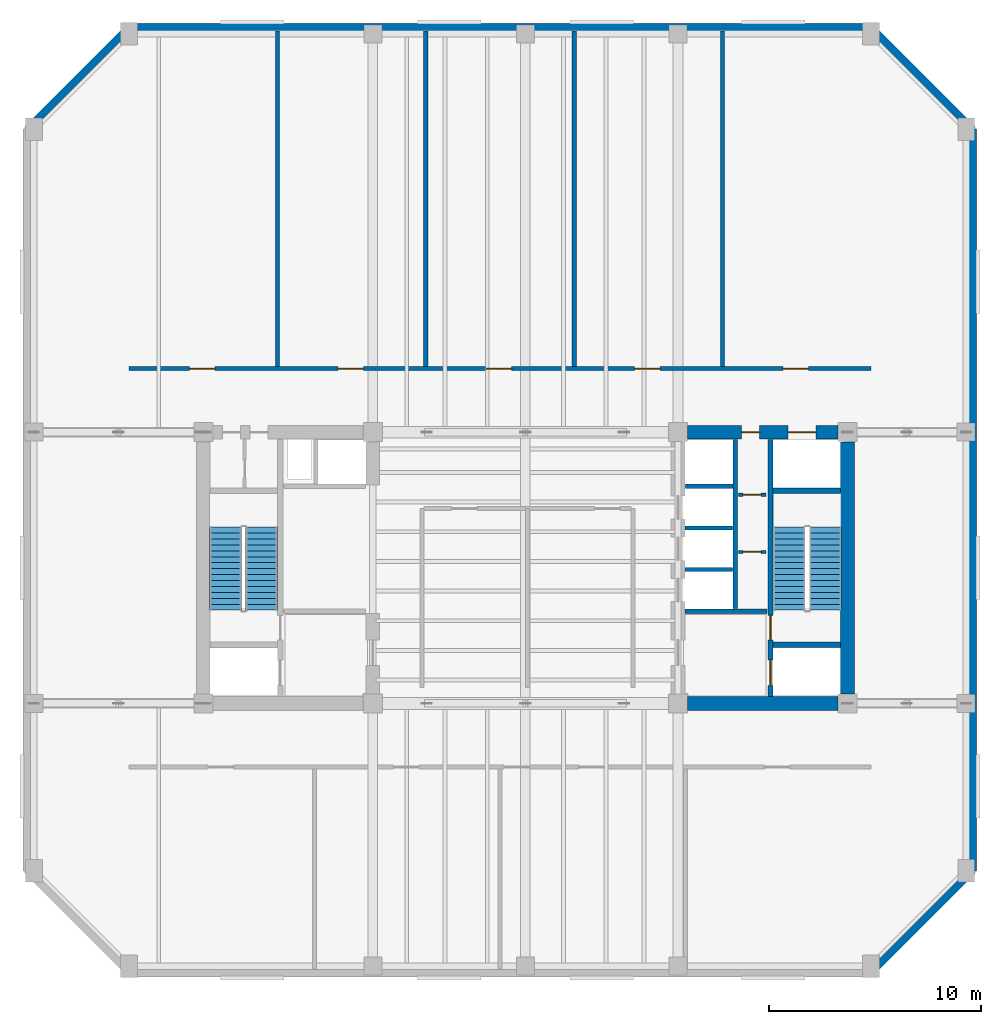
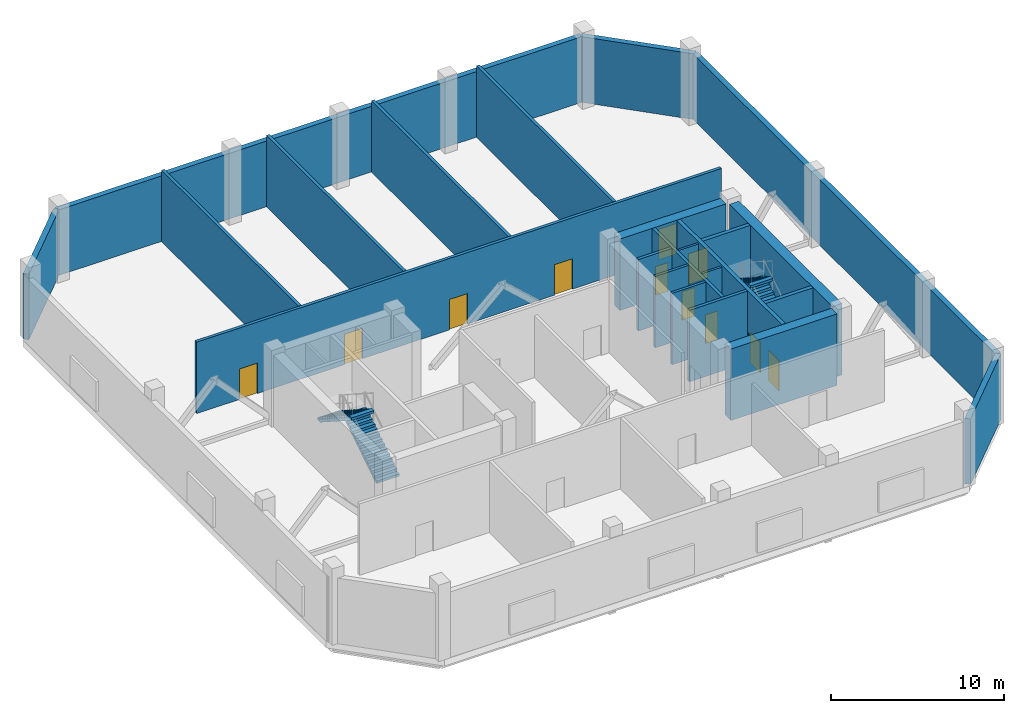
# One storey, part 6 of 9: 23 walls, 11 doors, 4 stair flights, 11 openings, 2 elements without a shape of their own.
"""IFC4 building model written with IfcOpenShell, lengths in metres."""

import ifcopenshell
import ifcopenshell.guid

model = None  # the IFC model being written
_history = None  # IfcOwnerHistory: only IFC2X3 demands one
_inside = {}  # id of a spatial element -> (the spatial element, [elements in it])
_under = {}  # id of a project, library or spatial element -> (it, [spatial elements below it])
_declared = {}  # id of a project -> (the project, [libraries it declares])
_typed = {}  # id of a type object -> (the type object, [elements of that type])
_made_of = {}  # id of a material, layer set ... -> (it, [elements and type objects made of it])


def new_model(schema):
    """Start an empty IFC model of exactly this schema.

    Asked for "IFC4X3", IfcOpenShell would pick the latest addendum, in which some entities
    have other attributes; the version numbers below select the first issue.
    IFC2X3 requires an IfcOwnerHistory on every rooted entity: one is made here for all.
    """
    global model, _history
    if schema == "IFC4X3":
        model = ifcopenshell.file(schema_version=(4, 3, 0, 0))
    else:
        model = ifcopenshell.file(schema=schema)
    _inside.clear()
    _under.clear()
    _declared.clear()
    _typed.clear()
    _made_of.clear()
    _history = None
    if model.schema == "IFC2X3":
        org = make("IfcOrganization", Name="unknown")
        user = make(
            "IfcPersonAndOrganization",
            ThePerson=make("IfcPerson", FamilyName="unknown"),
            TheOrganization=org,
        )
        app = make(
            "IfcApplication",
            ApplicationDeveloper=org,
            Version="unknown",
            ApplicationFullName="unknown",
            ApplicationIdentifier="unknown",
        )
        _history = make(
            "IfcOwnerHistory",
            OwningUser=user,
            OwningApplication=app,
            ChangeAction="ADDED",
            CreationDate=0,
        )
    return model


def make(cls, **values):
    """One entity of the class cls with the attributes given. An attribute that is None is left unset."""
    return model.create_entity(
        cls, **{name: value for name, value in values.items() if value is not None}
    )


def rooted(cls, **values):
    """An entity with a GlobalId (a new one), such as an element, a storey or a relation."""
    return make(cls, GlobalId=ifcopenshell.guid.new(), OwnerHistory=_history, **values)


def si_unit(unit_type, name, prefix=None):
    """IfcSIUnit, for example si_unit("LENGTHUNIT", "METRE", prefix="MILLI")."""
    return make("IfcSIUnit", UnitType=unit_type, Prefix=prefix, Name=name)


def assignment(units):
    """IfcUnitAssignment: the units of a project."""
    return None if units is None else make("IfcUnitAssignment", Units=units)


def point(xyz):
    """IfcCartesianPoint."""
    return None if xyz is None else make("IfcCartesianPoint", Coordinates=xyz)


def direction(xyz):
    """IfcDirection."""
    return None if xyz is None else make("IfcDirection", DirectionRatios=xyz)


def frame(location, z_axis=None, x_axis=None):
    """IfcAxis2Placement3D, a coordinate frame: its origin and axes. An axis left out is left unset."""
    return make(
        "IfcAxis2Placement3D",
        Location=point(location),
        Axis=direction(z_axis),
        RefDirection=direction(x_axis),
    )


def frame_2d(location, x_axis=None):
    """IfcAxis2Placement2D, a coordinate frame in the plane: its origin and x axis."""
    return make(
        "IfcAxis2Placement2D", Location=point(location), RefDirection=direction(x_axis)
    )


def origin():
    """The frame at (0, 0, 0) with its axes left unset."""
    return frame((0.0, 0.0, 0.0))


def place(relative_to, where):
    """IfcLocalPlacement: puts the frame where relative to a parent placement (None: the world)."""
    return make(
        "IfcLocalPlacement", PlacementRelTo=relative_to, RelativePlacement=where
    )


def context(
    kind, dimensions, precision=None, world=None, true_north=None, identifier=None
):
    """IfcGeometricRepresentationContext, for example the 3D "Model" context."""
    return make(
        "IfcGeometricRepresentationContext",
        ContextIdentifier=identifier,
        ContextType=kind,
        CoordinateSpaceDimension=dimensions,
        Precision=precision,
        WorldCoordinateSystem=world,
        TrueNorth=true_north,
    )


def subcontext(parent, identifier, kind, view, scale=None):
    """IfcGeometricRepresentationSubContext, for example "Body" below "Model"."""
    return make(
        "IfcGeometricRepresentationSubContext",
        ContextIdentifier=identifier,
        ContextType=kind,
        ParentContext=parent,
        TargetScale=scale,
        TargetView=view,
    )


def project(units=None, contexts=None):
    """IfcProject with its units and contexts."""
    return rooted(
        "IfcProject",
        Name="project",
        RepresentationContexts=contexts,
        UnitsInContext=assignment(units),
    )


def spatial(cls, under=None, at=None, **own):
    """A site, building, storey or space (cls), placed at a placement, below another one or the project."""
    s = rooted(cls, ObjectPlacement=at, **own)
    if under is not None:
        _under.setdefault(under.id(), (under, []))[1].append(s)
    return s


def polyline(points):
    """IfcPolyline through the points."""
    return make("IfcPolyline", Points=[point(p) for p in points])


def profile(cls, at=None, kind="AREA", **sizes):
    """A parametric profile (cls). Its sizes go by their IFC names, for example OverallWidth=200.0."""
    return make(cls, ProfileType=kind, Position=at, **sizes)


def rectangle(**sizes):
    """IfcRectangleProfileDef."""
    return profile("IfcRectangleProfileDef", **sizes)


def outline(outer, holes=None, kind="AREA"):
    """IfcArbitraryClosedProfileDef: a profile drawn as a closed curve; with holes, ...WithVoids."""
    if holes is None:
        return make("IfcArbitraryClosedProfileDef", ProfileType=kind, OuterCurve=outer)
    return make(
        "IfcArbitraryProfileDefWithVoids",
        ProfileType=kind,
        OuterCurve=outer,
        InnerCurves=holes,
    )


def extrude(swept, where, along, depth):
    """IfcExtrudedAreaSolid: the profile swept, set in the frame where, extruded along a direction by depth."""
    return make(
        "IfcExtrudedAreaSolid",
        SweptArea=swept,
        Position=where,
        ExtrudedDirection=direction(along),
        Depth=depth,
    )


def shape(context_of_items, identifier, shape_type, items):
    """IfcShapeRepresentation: the items that make up one representation, for example the "Body"."""
    return make(
        "IfcShapeRepresentation",
        ContextOfItems=context_of_items,
        RepresentationIdentifier=identifier,
        RepresentationType=shape_type,
        Items=items,
    )


def material(Name=None, Category=None):
    """IfcMaterial."""
    return make("IfcMaterial", Name=Name, Category=Category)


def layer(
    of_material, thickness, ventilated=None, Name=None, Category=None, Priority=None
):
    """IfcMaterialLayer: one layer of a wall or slab, of a material (None: an air gap)."""
    return make(
        "IfcMaterialLayer",
        Material=of_material,
        LayerThickness=thickness,
        IsVentilated=ventilated,
        Name=Name,
        Category=Category,
        Priority=Priority,
    )


def layer_set(layers, Name=None):
    """IfcMaterialLayerSet."""
    return make("IfcMaterialLayerSet", MaterialLayers=layers, LayerSetName=Name)


def made_of(thing, what):
    """Note that an element or type object is made of a material, layer set ...; save() writes the relation."""
    if what is not None:
        _made_of.setdefault(what.id(), (what, []))[1].append(thing)
    return thing


def type_object(cls, material=None, **own):
    """A type object (cls), such as IfcWallType, which elements share."""
    return made_of(rooted(cls, **own), material)


def element(
    cls,
    number,
    at=None,
    inside=None,
    cuts=None,
    type_object=None,
    material=None,
    context=None,
    identifier="Body",
    shape_type=None,
    held_by="IfcProductDefinitionShape",
    body=None,
    shapes=None,
    **own,
):
    """One element of the class cls, such as IfcWall. Its Tag is "e" and its number.

    at: its placement. inside: the storey or other place that contains it. cuts: it is an
    opening in that element (IfcRelVoidsElement). A single representation is given by context,
    identifier, shape_type and body (its items); several are given by shapes. held_by: the class
    of the entity that holds the representations. save() writes the other relations.
    """
    e = rooted(cls, Tag="e%d" % number, ObjectPlacement=at, **own)
    if body is not None:
        shapes = [shape(context, identifier, shape_type, body)]
    if shapes is not None:
        e.Representation = make(held_by, Representations=shapes)
    if inside is not None:
        _inside.setdefault(inside.id(), (inside, []))[1].append(e)
    if cuts is not None:
        rooted(
            "IfcRelVoidsElement", RelatingBuildingElement=cuts, RelatedOpeningElement=e
        )
    if type_object is not None:
        _typed.setdefault(type_object.id(), (type_object, []))[1].append(e)
    return made_of(e, material)


def fill(opening, filler):
    """IfcRelFillsElement: the door or window that sits in an opening."""
    return rooted(
        "IfcRelFillsElement",
        RelatingOpeningElement=opening,
        RelatedBuildingElement=filler,
    )


def aggregate(whole, parts):
    """IfcRelAggregates: a whole, such as a stair, and the parts it consists of."""
    return rooted("IfcRelAggregates", RelatingObject=whole, RelatedObjects=parts)


def save(model, path):
    """Write the relations noted so far, then the file.

    IfcRelAggregates (storeys below a building ...), IfcRelContainedInSpatialStructure (elements
    in a storey), IfcRelDefinesByType, IfcRelAssociatesMaterial and IfcRelDeclares: one each for
    every whole, place, type object, material and project.
    """
    for whole, parts in _under.values():
        aggregate(whole, parts)
    for where, things in _inside.values():
        rooted(
            "IfcRelContainedInSpatialStructure",
            RelatedElements=things,
            RelatingStructure=where,
        )
    for kind, things in _typed.values():
        rooted("IfcRelDefinesByType", RelatedObjects=things, RelatingType=kind)
    for what, things in _made_of.values():
        rooted("IfcRelAssociatesMaterial", RelatedObjects=things, RelatingMaterial=what)
    for by, libraries in _declared.values():
        rooted("IfcRelDeclares", RelatingContext=by, RelatedDefinitions=libraries)
    model.write(path)


model = new_model("IFC4")

# Units and contexts
model_context = context("Model", 3, precision=1e-05, world=origin(), true_north=direction((0.0, 1.0)))
body_context = subcontext(model_context, "Body", "Model", "MODEL_VIEW")
ifc_project = project(units=[si_unit("LENGTHUNIT", "METRE"), si_unit("AREAUNIT", "SQUARE_METRE"), si_unit("VOLUMEUNIT", "CUBIC_METRE"), si_unit("PLANEANGLEUNIT", "RADIAN"), si_unit("MASSUNIT", "GRAM", prefix="KILO")], contexts=[model_context])

# Site, building, storey
site_placement = place(None, origin())
site = spatial("IfcSite", under=ifc_project, at=site_placement, CompositionType="ELEMENT")
building_placement = place(site_placement, origin())
building = spatial("IfcBuilding", under=site, at=building_placement, Name="Kranthara Brick Stack", CompositionType="ELEMENT")
storey_placement = place(building_placement, frame((0.0, 0.0, 197.300048828125)))
storey = spatial("IfcBuildingStorey", under=building, at=storey_placement, Name="L51", CompositionType="ELEMENT", Elevation=197.300048828125)

# Walls
ifc_material_1 = material(Name="Kiln-fired clay brick masonry M15", Category="masonry")
ifc_layer_1 = layer(ifc_material_1, 0.35009765625)
ifc_layer_set_1 = layer_set([ifc_layer_1], Name="Kiln-fired clay brick masonry M15")
wall_type_1 = type_object("IfcWallType", Name="WL-BRK-SPND-350", PredefinedType="STANDARD", material=ifc_layer_set_1)
wall_1_placement = place(storey_placement, frame((4.4951171875, 47.89990234375, 0.0), z_axis=(0.0, 0.0, 1.0), x_axis=(0.707088817216, 0.7071247447, 0.0)))
element("IfcWall", 1, at=wall_1_placement, inside=storey, type_object=wall_type_1, Name="L51 Exterior Brick Facade Wall NW 1", PredefinedType="STANDARD", context=body_context, shape_type="SweptSolid", body=[
    extrude(rectangle(XDim=6.79541015625, YDim=0.35009765625, at=frame_2d((3.397705078125, 0.0))), origin(), (0.0, 0.0, 1.0), 4.625),
])
wall_2_placement = place(storey_placement, frame((9.300048828125, 52.705078125, 0.0), z_axis=(0.0, 0.0, 1.0), x_axis=(1.0, 0.0, 0.0)))
element("IfcWall", 2, at=wall_2_placement, inside=storey, type_object=wall_type_1, Name="L51 Exterior Brick Facade Wall NORTH 1", PredefinedType="STANDARD", context=body_context, shape_type="SweptSolid", body=[
    extrude(rectangle(XDim=35.0, YDim=0.35009765625, at=frame_2d((17.5, 0.0))), origin(), (0.0, 0.0, 1.0), 4.625),
])
wall_3_placement = place(storey_placement, frame((44.300048828125, 52.705078125, 0.0), z_axis=(0.0, 0.0, 1.0), x_axis=(0.707088817216, -0.7071247447, 0.0)))
element("IfcWall", 3, at=wall_3_placement, inside=storey, type_object=wall_type_1, Name="L51 Exterior Brick Facade Wall NE 1", PredefinedType="STANDARD", context=body_context, shape_type="SweptSolid", body=[
    extrude(rectangle(XDim=6.79541015625, YDim=0.35009765625, at=frame_2d((3.397705078125, 0.0))), origin(), (0.0, 0.0, 1.0), 4.625),
])
wall_4_placement = place(storey_placement, frame((49.10498046875, 47.89990234375, 0.0), z_axis=(0.0, 0.0, 1.0), x_axis=(0.0, -1.0, 0.0)))
element("IfcWall", 4, at=wall_4_placement, inside=storey, type_object=wall_type_1, Name="L51 Exterior Brick Facade Wall EAST 1", PredefinedType="STANDARD", context=body_context, shape_type="SweptSolid", body=[
    extrude(rectangle(XDim=35.0, YDim=0.35009765625, at=frame_2d((17.5, 0.0))), origin(), (0.0, 0.0, 1.0), 4.625),
])
wall_5_placement = place(storey_placement, frame((49.10498046875, 12.89990234375, 0.0), z_axis=(0.0, 0.0, 1.0), x_axis=(-0.707106781187, -0.707106781187, 0.0)))
element("IfcWall", 5, at=wall_5_placement, inside=storey, type_object=wall_type_1, Name="L51 Exterior Brick Facade Wall SE 1", PredefinedType="STANDARD", context=body_context, shape_type="SweptSolid", body=[
    extrude(rectangle(XDim=6.795166015625, YDim=0.35009765625, at=frame_2d((3.3974609375, 0.0))), origin(), (0.0, 0.0, 1.0), 4.625),
])

# Wall, openings, doors
ifc_material_2 = material(Name="Concrete C50/60", Category="concrete")
ifc_layer_2 = layer(ifc_material_2, 0.25)
ifc_layer_set_2 = layer_set([ifc_layer_2], Name="Concrete C50/60")
wall_type_2 = type_object("IfcWallType", Name="WL-CORE-250", PredefinedType="SHEAR", material=ifc_layer_set_2)
wall_6_placement = place(storey_placement, frame((39.56494140625, 21.135009765625, 0.0), z_axis=(0.0, 0.0, 1.0), x_axis=(0.0, 1.0, 0.0)))
wall_6 = element("IfcWall", 6, at=wall_6_placement, inside=storey, type_object=wall_type_2, Name="L51 East Core Stair Bearing Spine Wall", PredefinedType="SHEAR", context=body_context, shape_type="SweptSolid", body=[
    extrude(rectangle(XDim=12.1298828125, YDim=0.25, at=frame_2d((6.06494140625, 0.0))), origin(), (0.0, 0.0, 1.0), 5.0400390625),
])
opening_1_placement = place(wall_6_placement, frame((0.514892578125, 0.0, 0.0)))
opening_1 = element("IfcOpeningElement", 7, at=opening_1_placement, cuts=wall_6, Name="Opening LD01", PredefinedType="OPENING", context=body_context, shape_type="SweptSolid", body=[
    extrude(rectangle(XDim=1.199951171875, YDim=2.14990234375, at=frame_2d((0.60009765625, 1.074951171875))), frame((0.0, 0.135009765625, 0.0), z_axis=(0.0, -1.0, 0.0), x_axis=(1.0, 0.0, 0.0)), (0.0, 0.0, 1.0), 0.27001953125),
])
opening_2_placement = place(wall_6_placement, frame((2.6650390625, 0.0, 0.0)))
opening_2 = element("IfcOpeningElement", 8, at=opening_2_placement, cuts=wall_6, Name="Opening D05", PredefinedType="OPENING", context=body_context, shape_type="SweptSolid", body=[
    extrude(rectangle(XDim=1.14990234375, YDim=2.14990234375, at=frame_2d((0.574951171875, 1.074951171875))), frame((0.0, 0.135009765625, 0.0), z_axis=(0.0, -1.0, 0.0), x_axis=(1.0, 0.0, 0.0)), (0.0, 0.0, 1.0), 0.27001953125),
])
ifc_material_3 = material(Name="Stainless steel sliding landing door", Category="steel")
door_type_1 = type_object("IfcDoorType", Name="DR-LD-FF1200", OperationType="DOUBLE_DOOR_SLIDING", PredefinedType="DOOR", material=ifc_material_3)
door_1_placement = place(opening_1_placement, origin())
door_1 = element("IfcDoor", 9, at=door_1_placement, inside=storey, type_object=door_type_1, Name="L51 Firefighting Lift FF-02 Landing Door", OperationType="DOUBLE_DOOR_SLIDING", OverallHeight=2.14990234375, OverallWidth=1.199951171875, PredefinedType="DOOR", context=body_context, shape_type="SweptSolid", body=[
    extrude(rectangle(XDim=1.199951171875, YDim=2.14990234375, at=frame_2d((0.60009765625, 1.074951171875))), frame((0.0, 0.02490234375, 0.0), z_axis=(0.0, -1.0, 0.0), x_axis=(1.0, 0.0, 0.0)), (0.0, 0.0, 1.0), 0.050048828125),
])
fill(opening_1, door_1)
ifc_material_4 = material(Name="Solid-core hardwood timber leaf in steel frame", Category="steel")
door_type_2 = type_object("IfcDoorType", Name="DR-ST-1150", OperationType="NOTDEFINED", PredefinedType="DOOR", material=ifc_material_4)
door_2_placement = place(opening_2_placement, origin())
door_2 = element("IfcDoor", 10, at=door_2_placement, inside=storey, type_object=door_type_2, Name="L51 Exit Stair ST02 Door", OperationType="SINGLE_SWING_LEFT", OverallHeight=2.14990234375, OverallWidth=1.14990234375, PredefinedType="DOOR", context=body_context, shape_type="SweptSolid", body=[
    extrude(rectangle(XDim=1.14990234375, YDim=2.14990234375, at=frame_2d((0.574951171875, 1.074951171875))), frame((0.0, 0.02490234375, 0.0), z_axis=(0.0, -1.0, 0.0), x_axis=(1.0, 0.0, 0.0)), (0.0, 0.0, 1.0), 0.050048828125),
])
fill(opening_2, door_2)

# Walls
for number, where, z_axis, x_axis, name in (
    (11, (39.68994140625, 23.570068359375, 0.0), (0.0, 0.0, 1.0), (1.0, 0.0, 0.0), "L51 East Stairwell Bearing Wall EFF"),
    (12, (39.68994140625, 30.830078125, 0.0), (0.0, 0.0, 1.0), (1.0, 0.0, 0.0), "L51 East Stairwell Bearing Wall EST"),
):
    element("IfcWall", number, at=place(storey_placement, frame(where, z_axis=z_axis, x_axis=x_axis)), inside=storey, type_object=wall_type_2, Name=name, PredefinedType="SHEAR", context=body_context, shape_type="SweptSolid", body=[
        extrude(rectangle(XDim=3.175048828125, YDim=0.25, at=frame_2d((1.58740234375, 0.0))), origin(), (0.0, 0.0, 1.0), 5.0400390625),
    ])
ifc_material_5 = material(Name="Concrete C60/75", Category="concrete")
ifc_layer_3 = layer(ifc_material_5, 0.64990234375)
ifc_layer_set_3 = layer_set([ifc_layer_3], Name="Concrete C60/75")
wall_type_3 = type_object("IfcWallType", Name="WL-CORE-650", PredefinedType="SHEAR", material=ifc_layer_set_3)
wall_7_placement = place(storey_placement, frame((43.199951171875, 21.2548828125, 0.0), z_axis=(0.0, 0.0, 1.0), x_axis=(0.0, 1.0, 0.0)))
element("IfcWall", 13, at=wall_7_placement, inside=storey, type_object=wall_type_3, Name="L51 East Core Shear Wall East", PredefinedType="SHEAR", context=body_context, shape_type="SweptSolid", body=[
    extrude(rectangle(XDim=11.89013671875, YDim=0.64990234375, at=frame_2d((5.945068359375, 0.0))), origin(), (0.0, 0.0, 1.0), 5.0400390625),
])
wall_8_placement = place(storey_placement, frame((35.655029296875, 20.800048828125, 0.0), z_axis=(0.0, 0.0, 1.0), x_axis=(1.0, 0.0, 0.0)))
element("IfcWall", 14, at=wall_8_placement, inside=storey, type_object=wall_type_3, Name="L51 East Core Shear Wall South", PredefinedType="SHEAR", context=body_context, shape_type="SweptSolid", body=[
    extrude(rectangle(XDim=7.090087890625, YDim=0.64990234375, at=frame_2d((3.544921875, 0.0))), origin(), (0.0, 0.0, 1.0), 5.0400390625),
])

# Wall, openings, doors
wall_9_placement = place(storey_placement, frame((35.655029296875, 33.60009765625, 0.0), z_axis=(0.0, 0.0, 1.0), x_axis=(1.0, 0.0, 0.0)))
wall_9 = element("IfcWall", 15, at=wall_9_placement, inside=storey, type_object=wall_type_3, Name="L51 East Core Shear Wall North", PredefinedType="SHEAR", context=body_context, shape_type="SweptSolid", body=[
    extrude(rectangle(XDim=7.090087890625, YDim=0.64990234375, at=frame_2d((3.544921875, 0.0))), origin(), (0.0, 0.0, 1.0), 5.0400390625),
])
opening_3_placement = place(wall_9_placement, frame((4.7451171875, 0.0, 0.0)))
opening_3 = element("IfcOpeningElement", 16, at=opening_3_placement, cuts=wall_9, Name="Opening LD03", PredefinedType="OPENING", context=body_context, shape_type="SweptSolid", body=[
    extrude(rectangle(XDim=1.300048828125, YDim=2.14990234375, at=frame_2d((0.64990234375, 1.074951171875))), frame((0.0, 0.3349609375, 0.0), z_axis=(0.0, -1.0, 0.0), x_axis=(1.0, 0.0, 0.0)), (0.0, 0.0, 1.0), 0.669921875),
])
opening_4_placement = place(wall_9_placement, frame((2.544921875, 0.0, 0.0)))
opening_4 = element("IfcOpeningElement", 17, at=opening_4_placement, cuts=wall_9, Name="Opening D10", PredefinedType="OPENING", context=body_context, shape_type="SweptSolid", body=[
    extrude(rectangle(XDim=0.85009765625, YDim=2.02001953125, at=frame_2d((0.425048828125, 1.010009765625))), frame((0.0, 0.3349609375, 0.0), z_axis=(0.0, -1.0, 0.0), x_axis=(1.0, 0.0, 0.0)), (0.0, 0.0, 1.0), 0.669921875),
])
ifc_material_6 = material(Name="Stainless steel sliding landing door", Category="steel")
door_type_3 = type_object("IfcDoorType", Name="DR-LD-SV1300", OperationType="DOUBLE_DOOR_SLIDING", PredefinedType="DOOR", material=ifc_material_6)
door_3_placement = place(opening_3_placement, origin())
door_3 = element("IfcDoor", 18, at=door_3_placement, inside=storey, type_object=door_type_3, Name="L51 Stretcher Service Lift SV-01 Landing Door", OperationType="DOUBLE_DOOR_SLIDING", OverallHeight=2.14990234375, OverallWidth=1.300048828125, PredefinedType="DOOR", context=body_context, shape_type="SweptSolid", body=[
    extrude(rectangle(XDim=1.300048828125, YDim=2.14990234375, at=frame_2d((0.64990234375, 1.074951171875))), frame((0.0, 0.02490234375, 0.0), z_axis=(0.0, -1.0, 0.0), x_axis=(1.0, 0.0, 0.0)), (0.0, 0.0, 1.0), 0.050048828125),
])
fill(opening_3, door_3)
ifc_material_7 = material(Name="Solid-core hardwood timber leaf in steel frame", Category="steel")
door_type_4 = type_object("IfcDoorType", Name="DR-RSR-850", OperationType="NOTDEFINED", PredefinedType="DOOR", material=ifc_material_7)
door_4_placement = place(opening_4_placement, origin())
door_4 = element("IfcDoor", 19, at=door_4_placement, inside=storey, type_object=door_type_4, Name="L51 East Core Service Room Door", OperationType="SINGLE_SWING_LEFT", OverallHeight=2.02001953125, OverallWidth=0.85009765625, PredefinedType="DOOR", context=body_context, shape_type="SweptSolid", body=[
    extrude(rectangle(XDim=0.85009765625, YDim=2.02001953125, at=frame_2d((0.425048828125, 1.010009765625))), frame((0.0, 0.02490234375, 0.0), z_axis=(0.0, -1.0, 0.0), x_axis=(1.0, 0.0, 0.0)), (0.0, 0.0, 1.0), 0.050048828125),
])
fill(opening_4, door_4)

# Wall, opening, door
ifc_material_8 = material(Name="Fire-rated gypsum board partition", Category="other")
ifc_layer_4 = layer(ifc_material_8, 0.14990234375)
ifc_layer_set_4 = layer_set([ifc_layer_4], Name="Fire-rated gypsum board partition")
wall_type_4 = type_object("IfcWallType", Name="WL-PART-150", PredefinedType="PARTITIONING", material=ifc_layer_set_4)
wall_10_placement = place(storey_placement, frame((38.050048828125, 27.949951171875, 0.0), z_axis=(0.0, 0.0, 1.0), x_axis=(1.0, 0.0, 0.0)))
wall_10 = element("IfcWall", 20, at=wall_10_placement, inside=storey, type_object=wall_type_4, Name="L51 Interior Partition 002", PredefinedType="PARTITIONING", context=body_context, shape_type="SweptSolid", body=[
    extrude(rectangle(XDim=1.300048828125, YDim=0.14990234375, at=frame_2d((0.64990234375, 0.0))), origin(), (0.0, 0.0, 1.0), 5.0400390625),
])
opening_5_placement = place(wall_10_placement, frame((0.219970703125, 0.0, 0.0)))
opening_5 = element("IfcOpeningElement", 21, at=opening_5_placement, cuts=wall_10, Name="Opening D10", PredefinedType="OPENING", context=body_context, shape_type="SweptSolid", body=[
    extrude(rectangle(XDim=0.85009765625, YDim=2.02001953125, at=frame_2d((0.425048828125, 1.010009765625))), frame((0.0, 0.0849609375, 0.0), z_axis=(0.0, -1.0, 0.0), x_axis=(1.0, 0.0, 0.0)), (0.0, 0.0, 1.0), 0.169921875),
])
door_5_placement = place(opening_5_placement, origin())
door_5 = element("IfcDoor", 22, at=door_5_placement, inside=storey, type_object=door_type_4, Name="L51 Riser Door 1 02", OperationType="SINGLE_SWING_RIGHT", OverallHeight=2.02001953125, OverallWidth=0.85009765625, PredefinedType="DOOR", context=body_context, shape_type="SweptSolid", body=[
    extrude(rectangle(XDim=0.85009765625, YDim=2.02001953125, at=frame_2d((0.425048828125, 1.010009765625))), frame((0.0, 0.02490234375, 0.0), z_axis=(0.0, -1.0, 0.0), x_axis=(1.0, 0.0, 0.0)), (0.0, 0.0, 1.0), 0.050048828125),
])
fill(opening_5, door_5)

wall_11_placement = place(storey_placement, frame((38.050048828125, 30.64990234375, 0.0), z_axis=(0.0, 0.0, 1.0), x_axis=(1.0, 0.0, 0.0)))
wall_11 = element("IfcWall", 23, at=wall_11_placement, inside=storey, type_object=wall_type_4, Name="L51 Interior Partition 003", PredefinedType="PARTITIONING", context=body_context, shape_type="SweptSolid", body=[
    extrude(rectangle(XDim=1.300048828125, YDim=0.14990234375, at=frame_2d((0.64990234375, 0.0))), origin(), (0.0, 0.0, 1.0), 5.0400390625),
])
opening_6_placement = place(wall_11_placement, frame((0.219970703125, 0.0, 0.0)))
opening_6 = element("IfcOpeningElement", 24, at=opening_6_placement, cuts=wall_11, Name="Opening D10", PredefinedType="OPENING", context=body_context, shape_type="SweptSolid", body=[
    extrude(rectangle(XDim=0.85009765625, YDim=2.02001953125, at=frame_2d((0.425048828125, 1.010009765625))), frame((0.0, 0.0849609375, 0.0), z_axis=(0.0, -1.0, 0.0), x_axis=(1.0, 0.0, 0.0)), (0.0, 0.0, 1.0), 0.169921875),
])
door_6_placement = place(opening_6_placement, origin())
door_6 = element("IfcDoor", 25, at=door_6_placement, inside=storey, type_object=door_type_4, Name="L51 Riser Door 2 03", OperationType="SINGLE_SWING_LEFT", OverallHeight=2.02001953125, OverallWidth=0.85009765625, PredefinedType="DOOR", context=body_context, shape_type="SweptSolid", body=[
    extrude(rectangle(XDim=0.85009765625, YDim=2.02001953125, at=frame_2d((0.425048828125, 1.010009765625))), frame((0.0, 0.02490234375, 0.0), z_axis=(0.0, -1.0, 0.0), x_axis=(1.0, 0.0, 0.0)), (0.0, 0.0, 1.0), 0.050048828125),
])
fill(opening_6, door_6)

# Walls
ifc_material_9 = material(Name="Gypsum plasterboard on acoustic twin stud", Category="other")
ifc_layer_5 = layer(ifc_material_9, 0.179931640625)
ifc_layer_set_5 = layer_set([ifc_layer_5], Name="Gypsum plasterboard on acoustic twin stud")
wall_type_5 = type_object("IfcWallType", Name="WL-PART-180", PredefinedType="PARTITIONING", material=ifc_layer_set_5)
for number, where, z_axis, x_axis, name in (
    (26, (35.534912109375, 27.1201171875, 0.0), (0.0, 0.0, 1.0), (1.0, 0.0, 0.0), "L51 East Hoistway Wall EH1"),
    (27, (35.534912109375, 29.080078125, 0.0), (0.0, 0.0, 1.0), (1.0, 0.0, 0.0), "L51 East Hoistway Wall EH2"),
):
    element("IfcWall", number, at=place(storey_placement, frame(where, z_axis=z_axis, x_axis=x_axis)), inside=storey, type_object=wall_type_5, Name=name, PredefinedType="PARTITIONING", context=body_context, shape_type="SweptSolid", body=[
        extrude(rectangle(XDim=2.2451171875, YDim=0.179931640625, at=frame_2d((1.12255859375, 0.0))), origin(), (0.0, 0.0, 1.0), 5.0400390625),
    ])
ifc_material_10 = material(Name="Concrete C40/50", Category="concrete")
ifc_layer_6 = layer(ifc_material_10, 0.199951171875)
ifc_layer_set_6 = layer_set([ifc_layer_6], Name="Concrete C40/50")
wall_type_6 = type_object("IfcWallType", Name="WL-PART-200", PredefinedType="SOLIDWALL", material=ifc_layer_set_6)
wall_12_placement = place(storey_placement, frame((35.534912109375, 25.14990234375, 0.0), z_axis=(0.0, 0.0, 1.0), x_axis=(1.0, 0.0, 0.0)))
element("IfcWall", 28, at=wall_12_placement, inside=storey, type_object=wall_type_6, Name="L51 East Core Cross Wall EFL", PredefinedType="SOLIDWALL", context=body_context, shape_type="SweptSolid", body=[
    extrude(rectangle(XDim=3.864990234375, YDim=0.199951171875, at=frame_2d((1.9326171875, 0.0))), origin(), (0.0, 0.0, 1.0), 5.0400390625),
])
wall_13_placement = place(storey_placement, frame((35.550048828125, 31.050048828125, 0.0), z_axis=(0.0, 0.0, 1.0), x_axis=(1.0, 0.0, 0.0)))
element("IfcWall", 29, at=wall_13_placement, inside=storey, type_object=wall_type_6, Name="L51 East Core Cross Wall EE4", PredefinedType="SOLIDWALL", context=body_context, shape_type="SweptSolid", body=[
    extrude(rectangle(XDim=2.25, YDim=0.199951171875, at=frame_2d((1.125, 0.0))), origin(), (0.0, 0.0, 1.0), 5.0400390625),
])
wall_14_placement = place(storey_placement, frame((37.89990234375, 25.27001953125, 0.0), z_axis=(0.0, 0.0, 1.0), x_axis=(0.0, 1.0, 0.0)))
element("IfcWall", 30, at=wall_14_placement, inside=storey, type_object=wall_type_6, Name="L51 East Core Cross Wall ESV", PredefinedType="SOLIDWALL", context=body_context, shape_type="SweptSolid", body=[
    extrude(rectangle(XDim=7.994873046875, YDim=0.199951171875, at=frame_2d((3.99755859375, 0.0))), origin(), (0.0, 0.0, 1.0), 5.0400390625),
])

# Wall, openings, doors
wall_15_placement = place(storey_placement, frame((9.300048828125, 36.60009765625, 0.0), z_axis=(0.0, 0.0, 1.0), x_axis=(1.0, 0.0, 0.0)))
wall_15 = element("IfcWall", 31, at=wall_15_placement, inside=storey, type_object=wall_type_6, Name="L51 Interior Partition 005", PredefinedType="SOLIDWALL", context=body_context, shape_type="SweptSolid", body=[
    extrude(rectangle(XDim=35.0, YDim=0.199951171875, at=frame_2d((17.5, 0.0))), origin(), (0.0, 0.0, 1.0), 5.0400390625),
])
opening_7_placement = place(wall_15_placement, frame((2.85009765625, 0.0, 0.0)))
opening_7 = element("IfcOpeningElement", 32, at=opening_7_placement, cuts=wall_15, Name="Opening D21", PredefinedType="OPENING", context=body_context, shape_type="SweptSolid", body=[
    extrude(rectangle(XDim=1.199951171875, YDim=2.14990234375, at=frame_2d((0.60009765625, 1.074951171875))), frame((0.0, 0.10986328125, 0.0), z_axis=(0.0, -1.0, 0.0), x_axis=(1.0, 0.0, 0.0)), (0.0, 0.0, 1.0), 0.219970703125),
])
opening_8_placement = place(wall_15_placement, frame((9.85009765625, 0.0, 0.0)))
opening_8 = element("IfcOpeningElement", 33, at=opening_8_placement, cuts=wall_15, Name="Opening D21", PredefinedType="OPENING", context=body_context, shape_type="SweptSolid", body=[
    extrude(rectangle(XDim=1.199951171875, YDim=2.14990234375, at=frame_2d((0.60009765625, 1.074951171875))), frame((0.0, 0.10986328125, 0.0), z_axis=(0.0, -1.0, 0.0), x_axis=(1.0, 0.0, 0.0)), (0.0, 0.0, 1.0), 0.219970703125),
])
opening_9_placement = place(wall_15_placement, frame((16.85009765625, 0.0, 0.0)))
opening_9 = element("IfcOpeningElement", 34, at=opening_9_placement, cuts=wall_15, Name="Opening D21", PredefinedType="OPENING", context=body_context, shape_type="SweptSolid", body=[
    extrude(rectangle(XDim=1.199951171875, YDim=2.14990234375, at=frame_2d((0.60009765625, 1.074951171875))), frame((0.0, 0.10986328125, 0.0), z_axis=(0.0, -1.0, 0.0), x_axis=(1.0, 0.0, 0.0)), (0.0, 0.0, 1.0), 0.219970703125),
])
opening_10_placement = place(wall_15_placement, frame((23.85009765625, 0.0, 0.0)))
opening_10 = element("IfcOpeningElement", 35, at=opening_10_placement, cuts=wall_15, Name="Opening D21", PredefinedType="OPENING", context=body_context, shape_type="SweptSolid", body=[
    extrude(rectangle(XDim=1.199951171875, YDim=2.14990234375, at=frame_2d((0.60009765625, 1.074951171875))), frame((0.0, 0.10986328125, 0.0), z_axis=(0.0, -1.0, 0.0), x_axis=(1.0, 0.0, 0.0)), (0.0, 0.0, 1.0), 0.219970703125),
])
opening_11_placement = place(wall_15_placement, frame((30.85009765625, 0.0, 0.0)))
opening_11 = element("IfcOpeningElement", 36, at=opening_11_placement, cuts=wall_15, Name="Opening D21", PredefinedType="OPENING", context=body_context, shape_type="SweptSolid", body=[
    extrude(rectangle(XDim=1.199951171875, YDim=2.14990234375, at=frame_2d((0.60009765625, 1.074951171875))), frame((0.0, 0.10986328125, 0.0), z_axis=(0.0, -1.0, 0.0), x_axis=(1.0, 0.0, 0.0)), (0.0, 0.0, 1.0), 0.219970703125),
])
ifc_material_11 = material(Name="Solid-core hardwood timber leaf in steel frame", Category="steel")
door_type_5 = type_object("IfcDoorType", Name="DR-FD-1200", OperationType="NOTDEFINED", PredefinedType="DOOR", material=ifc_material_11)
door_7_placement = place(opening_7_placement, origin())
door_7 = element("IfcDoor", 37, at=door_7_placement, inside=storey, type_object=door_type_5, Name="L51 North Plant 4 10", OperationType="SINGLE_SWING_RIGHT", OverallHeight=2.14990234375, OverallWidth=1.199951171875, PredefinedType="DOOR", context=body_context, shape_type="SweptSolid", body=[
    extrude(rectangle(XDim=1.199951171875, YDim=2.14990234375, at=frame_2d((0.60009765625, 1.074951171875))), frame((0.0, 0.02490234375, 0.0), z_axis=(0.0, -1.0, 0.0), x_axis=(1.0, 0.0, 0.0)), (0.0, 0.0, 1.0), 0.050048828125),
])
fill(opening_7, door_7)
door_8_placement = place(opening_8_placement, origin())
door_8 = element("IfcDoor", 38, at=door_8_placement, inside=storey, type_object=door_type_5, Name="L51 North Plant 5 11", OperationType="SINGLE_SWING_LEFT", OverallHeight=2.14990234375, OverallWidth=1.199951171875, PredefinedType="DOOR", context=body_context, shape_type="SweptSolid", body=[
    extrude(rectangle(XDim=1.199951171875, YDim=2.14990234375, at=frame_2d((0.60009765625, 1.074951171875))), frame((0.0, 0.02490234375, 0.0), z_axis=(0.0, -1.0, 0.0), x_axis=(1.0, 0.0, 0.0)), (0.0, 0.0, 1.0), 0.050048828125),
])
fill(opening_8, door_8)
door_9_placement = place(opening_9_placement, origin())
door_9 = element("IfcDoor", 39, at=door_9_placement, inside=storey, type_object=door_type_5, Name="L51 North Plant 6 12", OperationType="SINGLE_SWING_RIGHT", OverallHeight=2.14990234375, OverallWidth=1.199951171875, PredefinedType="DOOR", context=body_context, shape_type="SweptSolid", body=[
    extrude(rectangle(XDim=1.199951171875, YDim=2.14990234375, at=frame_2d((0.60009765625, 1.074951171875))), frame((0.0, 0.02490234375, 0.0), z_axis=(0.0, -1.0, 0.0), x_axis=(1.0, 0.0, 0.0)), (0.0, 0.0, 1.0), 0.050048828125),
])
fill(opening_9, door_9)
door_10_placement = place(opening_10_placement, origin())
door_10 = element("IfcDoor", 40, at=door_10_placement, inside=storey, type_object=door_type_5, Name="L51 North Plant 7 13", OperationType="SINGLE_SWING_LEFT", OverallHeight=2.14990234375, OverallWidth=1.199951171875, PredefinedType="DOOR", context=body_context, shape_type="SweptSolid", body=[
    extrude(rectangle(XDim=1.199951171875, YDim=2.14990234375, at=frame_2d((0.60009765625, 1.074951171875))), frame((0.0, 0.02490234375, 0.0), z_axis=(0.0, -1.0, 0.0), x_axis=(1.0, 0.0, 0.0)), (0.0, 0.0, 1.0), 0.050048828125),
])
fill(opening_10, door_10)
door_11_placement = place(opening_11_placement, origin())
door_11 = element("IfcDoor", 41, at=door_11_placement, inside=storey, type_object=door_type_5, Name="L51 North Plant 8 14", OperationType="SINGLE_SWING_RIGHT", OverallHeight=2.14990234375, OverallWidth=1.199951171875, PredefinedType="DOOR", context=body_context, shape_type="SweptSolid", body=[
    extrude(rectangle(XDim=1.199951171875, YDim=2.14990234375, at=frame_2d((0.60009765625, 1.074951171875))), frame((0.0, 0.02490234375, 0.0), z_axis=(0.0, -1.0, 0.0), x_axis=(1.0, 0.0, 0.0)), (0.0, 0.0, 1.0), 0.050048828125),
])
fill(opening_11, door_11)

# Walls
for number, where, z_axis, x_axis, name in (
    (42, (16.300048828125, 36.705078125, 0.0), (0.0, 0.0, 1.0), (0.0, 1.0, 0.0), "L51 Interior Partition 013"),
    (43, (23.300048828125, 36.705078125, 0.0), (0.0, 0.0, 1.0), (0.0, 1.0, 0.0), "L51 Interior Partition 014"),
    (44, (30.300048828125, 36.705078125, 0.0), (0.0, 0.0, 1.0), (0.0, 1.0, 0.0), "L51 Interior Partition 015"),
    (45, (37.300048828125, 36.705078125, 0.0), (0.0, 0.0, 1.0), (0.0, 1.0, 0.0), "L51 Interior Partition 016"),
):
    element("IfcWall", number, at=place(storey_placement, frame(where, z_axis=z_axis, x_axis=x_axis)), inside=storey, type_object=wall_type_6, Name=name, PredefinedType="SOLIDWALL", context=body_context, shape_type="SweptSolid", body=[
        extrude(rectangle(XDim=15.81982421875, YDim=0.199951171875, at=frame_2d((7.909912109375, 0.0))), origin(), (0.0, 0.0, 1.0), 5.0400390625),
    ])

# Stair, stair flights
ifc_material_12 = material(Name="Concrete C45/55", Category="concrete")
stair_type = type_object("IfcStairType", Name="ST-CORE-30R", PredefinedType="HALF_TURN_STAIR", material=ifc_material_12)
stair_1_placement = place(storey_placement, origin())
stair_1 = element("IfcStair", 46, at=stair_1_placement, inside=storey, type_object=stair_type, Name="L51 West Core Protected Exit Stair ST01", PredefinedType="HALF_TURN_STAIR")
ifc_material_13 = material(Name="Concrete C45/55", Category="concrete")
stair_flight_type = type_object("IfcStairFlightType", Name="SFL-RC-30R", PredefinedType="STRAIGHT", material=ifc_material_13)
stair_flight_1_placement = place(storey_placement, frame((15.550048828125, 25.199951171875, 0.0), z_axis=(0.0, 0.0, 1.0), x_axis=(0.0, 1.0, 0.0)))
stair_flight_1 = element("IfcStairFlight", 47, at=stair_flight_1_placement, type_object=stair_flight_type, Name="ST01 flight 1", NumberOfRisers=15, NumberOfTreads=14, PredefinedType="STRAIGHT", RiserHeight=0.18, TreadLength=0.28, context=body_context, shape_type="SweptSolid", body=[
    extrude(outline(polyline([(0.0, 0.0), (0.0, 0.179931640625), (0.280029296875, 0.179931640625), (0.280029296875, 0.360107421875), (0.56005859375, 0.360107421875), (0.56005859375, 0.5400390625), (0.840087890625, 0.5400390625), (0.840087890625, 0.719970703125), (1.1201171875, 0.719970703125), (1.1201171875, 0.89990234375), (1.39990234375, 0.89990234375), (1.39990234375, 1.080078125), (1.679931640625, 1.080078125), (1.679931640625, 1.260009765625), (1.9599609375, 1.260009765625), (1.9599609375, 1.43994140625), (2.239990234375, 1.43994140625), (2.239990234375, 1.6201171875), (2.52001953125, 1.6201171875), (2.52001953125, 1.800048828125), (2.800048828125, 1.800048828125), (2.800048828125, 1.97998046875), (3.080078125, 1.97998046875), (3.080078125, 2.159912109375), (3.360107421875, 2.159912109375), (3.360107421875, 2.340087890625), (3.639892578125, 2.340087890625), (3.639892578125, 2.52001953125), (3.919921875, 2.52001953125), (3.919921875, 2.699951171875), (3.919921875, 2.341796875), (0.277099609375, 0.0), (0.0, 0.0)])), frame((0.0, 0.75, 0.0), z_axis=(0.0, -1.0, 0.0), x_axis=(1.0, 0.0, 0.0)), (0.0, 0.0, 1.0), 1.5),
])
stair_flight_2_placement = place(storey_placement, frame((13.85009765625, 29.1201171875, 2.699951171875), z_axis=(0.0, 0.0, 1.0), x_axis=(0.0, -1.0, 0.0)))
stair_flight_2 = element("IfcStairFlight", 48, at=stair_flight_2_placement, type_object=stair_flight_type, Name="ST01 flight 2", NumberOfRisers=15, NumberOfTreads=14, PredefinedType="STRAIGHT", RiserHeight=0.18, TreadLength=0.28, context=body_context, shape_type="SweptSolid", body=[
    extrude(outline(polyline([(0.0, 0.0), (0.0, 0.179931640625), (0.280029296875, 0.179931640625), (0.280029296875, 0.360107421875), (0.56005859375, 0.360107421875), (0.56005859375, 0.5400390625), (0.840087890625, 0.5400390625), (0.840087890625, 0.719970703125), (1.1201171875, 0.719970703125), (1.1201171875, 0.89990234375), (1.39990234375, 0.89990234375), (1.39990234375, 1.080078125), (1.679931640625, 1.080078125), (1.679931640625, 1.260009765625), (1.9599609375, 1.260009765625), (1.9599609375, 1.43994140625), (2.239990234375, 1.43994140625), (2.239990234375, 1.6201171875), (2.52001953125, 1.6201171875), (2.52001953125, 1.800048828125), (2.800048828125, 1.800048828125), (2.800048828125, 1.97998046875), (3.080078125, 1.97998046875), (3.080078125, 2.159912109375), (3.360107421875, 2.159912109375), (3.360107421875, 2.340087890625), (3.639892578125, 2.340087890625), (3.639892578125, 2.52001953125), (3.919921875, 2.52001953125), (3.919921875, 2.699951171875), (3.919921875, 2.341796875), (0.277099609375, 0.0), (0.0, 0.0)])), frame((0.0, 0.75, 0.0), z_axis=(0.0, -1.0, 0.0), x_axis=(1.0, 0.0, 0.0)), (0.0, 0.0, 1.0), 1.5),
])
aggregate(stair_1, [stair_flight_1, stair_flight_2])

stair_2_placement = place(storey_placement, origin())
stair_2 = element("IfcStair", 49, at=stair_2_placement, inside=storey, type_object=stair_type, Name="L51 East Core Protected Exit Stair ST02", PredefinedType="HALF_TURN_STAIR")
stair_flight_3_placement = place(storey_placement, frame((42.14990234375, 25.199951171875, 0.0), z_axis=(0.0, 0.0, 1.0), x_axis=(0.0, 1.0, 0.0)))
stair_flight_3 = element("IfcStairFlight", 50, at=stair_flight_3_placement, type_object=stair_flight_type, Name="ST02 flight 1", NumberOfRisers=15, NumberOfTreads=14, PredefinedType="STRAIGHT", RiserHeight=0.18, TreadLength=0.28, context=body_context, shape_type="SweptSolid", body=[
    extrude(outline(polyline([(0.0, 0.0), (0.0, 0.179931640625), (0.280029296875, 0.179931640625), (0.280029296875, 0.360107421875), (0.56005859375, 0.360107421875), (0.56005859375, 0.5400390625), (0.840087890625, 0.5400390625), (0.840087890625, 0.719970703125), (1.1201171875, 0.719970703125), (1.1201171875, 0.89990234375), (1.39990234375, 0.89990234375), (1.39990234375, 1.080078125), (1.679931640625, 1.080078125), (1.679931640625, 1.260009765625), (1.9599609375, 1.260009765625), (1.9599609375, 1.43994140625), (2.239990234375, 1.43994140625), (2.239990234375, 1.6201171875), (2.52001953125, 1.6201171875), (2.52001953125, 1.800048828125), (2.800048828125, 1.800048828125), (2.800048828125, 1.97998046875), (3.080078125, 1.97998046875), (3.080078125, 2.159912109375), (3.360107421875, 2.159912109375), (3.360107421875, 2.340087890625), (3.639892578125, 2.340087890625), (3.639892578125, 2.52001953125), (3.919921875, 2.52001953125), (3.919921875, 2.699951171875), (3.919921875, 2.341796875), (0.277099609375, 0.0), (0.0, 0.0)])), frame((0.0, 0.75, 0.0), z_axis=(0.0, -1.0, 0.0), x_axis=(1.0, 0.0, 0.0)), (0.0, 0.0, 1.0), 1.5),
])
stair_flight_4_placement = place(storey_placement, frame((40.449951171875, 29.1201171875, 2.699951171875), z_axis=(0.0, 0.0, 1.0), x_axis=(0.0, -1.0, 0.0)))
stair_flight_4 = element("IfcStairFlight", 51, at=stair_flight_4_placement, type_object=stair_flight_type, Name="ST02 flight 2", NumberOfRisers=15, NumberOfTreads=14, PredefinedType="STRAIGHT", RiserHeight=0.18, TreadLength=0.28, context=body_context, shape_type="SweptSolid", body=[
    extrude(outline(polyline([(0.0, 0.0), (0.0, 0.179931640625), (0.280029296875, 0.179931640625), (0.280029296875, 0.360107421875), (0.56005859375, 0.360107421875), (0.56005859375, 0.5400390625), (0.840087890625, 0.5400390625), (0.840087890625, 0.719970703125), (1.1201171875, 0.719970703125), (1.1201171875, 0.89990234375), (1.39990234375, 0.89990234375), (1.39990234375, 1.080078125), (1.679931640625, 1.080078125), (1.679931640625, 1.260009765625), (1.9599609375, 1.260009765625), (1.9599609375, 1.43994140625), (2.239990234375, 1.43994140625), (2.239990234375, 1.6201171875), (2.52001953125, 1.6201171875), (2.52001953125, 1.800048828125), (2.800048828125, 1.800048828125), (2.800048828125, 1.97998046875), (3.080078125, 1.97998046875), (3.080078125, 2.159912109375), (3.360107421875, 2.159912109375), (3.360107421875, 2.340087890625), (3.639892578125, 2.340087890625), (3.639892578125, 2.52001953125), (3.919921875, 2.52001953125), (3.919921875, 2.699951171875), (3.919921875, 2.341796875), (0.277099609375, 0.0), (0.0, 0.0)])), frame((0.0, 0.75, 0.0), z_axis=(0.0, -1.0, 0.0), x_axis=(1.0, 0.0, 0.0)), (0.0, 0.0, 1.0), 1.5),
])
aggregate(stair_2, [stair_flight_3, stair_flight_4])

save(model, "model.ifc")
